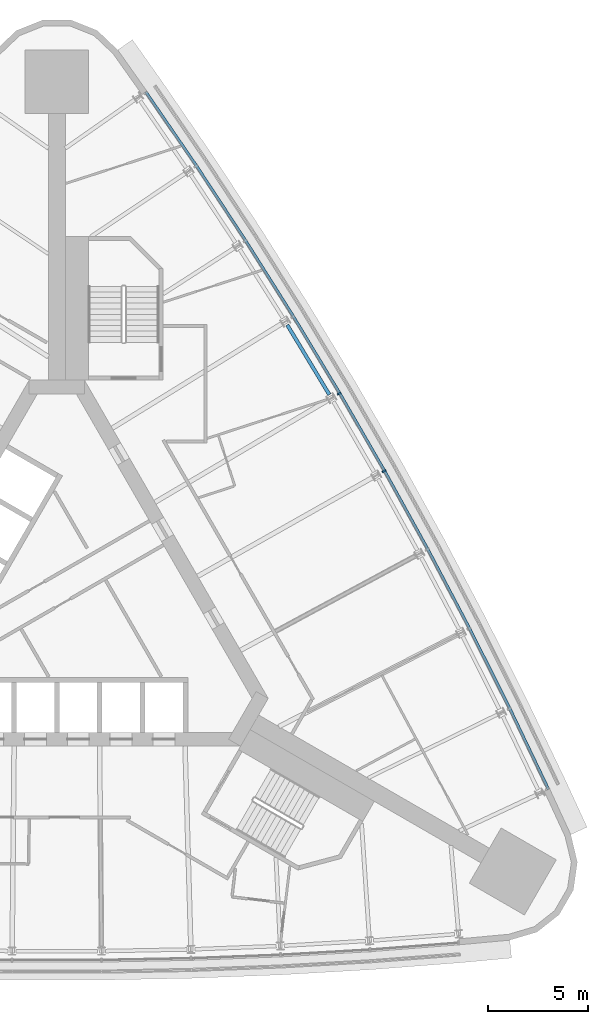
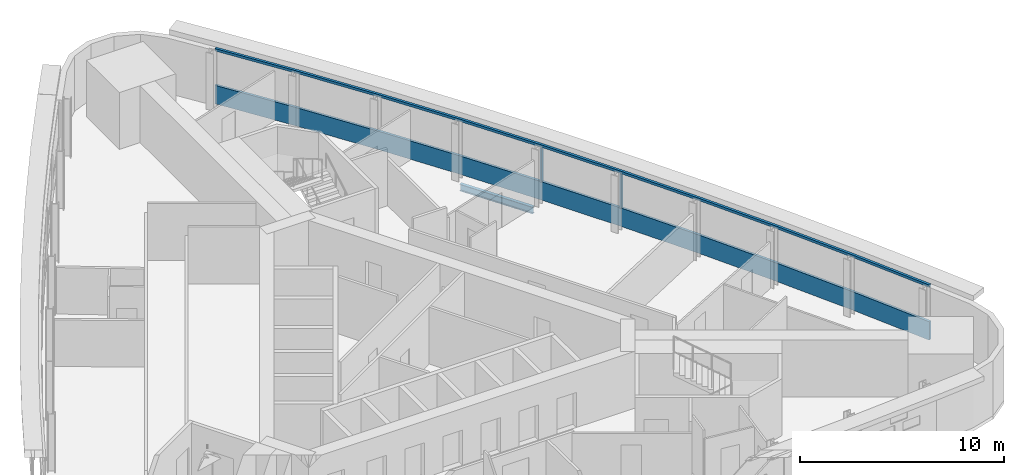
# One storey, part 6 of 14: 4 members, 1 beam, 1 element without a shape of its own.
"""IFC4 building model written with IfcOpenShell, lengths in metres."""

from ifc_helpers import new_model, si_unit, direction, frame, origin, origin_2d, place, context, subcontext, project, spatial, polyline, rectangle, i_section, outline, extrude, material, material_profile, profile_set, type_object, element, aggregate, save


model = new_model("IFC4")

# Units and contexts
model_context = context("Model", 3, precision=1e-05, world=origin(), true_north=direction((0.0, 1.0)))
body_context = subcontext(model_context, "Body", "Model", "MODEL_VIEW")
ifc_project = project(units=[si_unit("LENGTHUNIT", "METRE"), si_unit("AREAUNIT", "SQUARE_METRE"), si_unit("VOLUMEUNIT", "CUBIC_METRE"), si_unit("PLANEANGLEUNIT", "RADIAN"), si_unit("MASSUNIT", "GRAM", prefix="KILO")], contexts=[model_context])

# Site, building, storey
site_placement = place(None, origin())
site = spatial("IfcSite", under=ifc_project, at=site_placement, CompositionType="ELEMENT")
building_placement = place(site_placement, origin())
building = spatial("IfcBuilding", under=site, at=building_placement, Name="Noor Cloister Tower", CompositionType="ELEMENT")
storey_placement = place(building_placement, frame((0.0, 0.0, 76.199951171875)))
storey = spatial("IfcBuildingStorey", under=building, at=storey_placement, Name="L19", CompositionType="ELEMENT", Elevation=76.199951171875)

# Curtain wall, members
ifc_material_1 = material(Name="Aluminium 6063-T6 anodised", Category="aluminium")
curtain_wall_type = type_object("IfcCurtainWallType", Name="Ribbon curtain wall, lower tower CW1", PredefinedType="NOTDEFINED", material=ifc_material_1)
curtain_wall_placement = place(storey_placement, origin())
curtain_wall = element("IfcCurtainWall", 1, at=curtain_wall_placement, inside=storey, type_object=curtain_wall_type, Name="CW1 L19 NE run 3", PredefinedType="NOTDEFINED")
ifc_material_2 = material(Name="Aluminium 6063-T6 anodised", Category="aluminium")
member_type_1 = type_object("IfcMemberType", Name="Head transom CW1 150", PredefinedType="USERDEFINED", material=ifc_material_2)
member_1_placement = place(storey_placement, frame((0.0, 0.0, 3.150146484375)))
member_1 = element("IfcMember", 2, at=member_1_placement, type_object=member_type_1, Name="CW1 head transom", ObjectType="TRANSOM", PredefinedType="USERDEFINED", context=body_context, shape_type="SweptSolid", body=[
    extrude(outline(polyline([(24.748779296875, -9.064697265625), (22.805908203125, -5.005615234375), (20.78515625, -0.985107421875), (18.687255859375, 2.995849609375), (16.5126953125, 6.935546875), (14.262939453125, 10.832763671875), (11.938232421875, 14.685546875), (9.53955078125, 18.492919921875), (7.06787109375, 22.25341796875), (4.524169921875, 25.96533203125), (4.40869140625, 25.88623046875), (6.95166015625, 22.17529296875), (9.421875, 18.417236328125), (11.81884765625, 14.612060546875), (14.142333984375, 10.761474609375), (16.390869140625, 6.86669921875), (18.56396484375, 2.929443359375), (20.66064453125, -1.049072265625), (22.68017578125, -5.0673828125), (24.62255859375, -9.125), (24.748779296875, -9.064697265625)])), origin(), (0.0, 0.0, 1.0), 0.14990234375),
])
ifc_material_3 = material(Name="Aluminium 6063-T6 anodised", Category="aluminium")
ifc_material_profile_1 = material_profile(ifc_material_3, rectangle(XDim=0.199951171875, YDim=0.080078125, at=origin_2d()), Name="200 x 80 mullion")
ifc_profile_set_1 = profile_set([ifc_material_profile_1], Name="Aluminium 6063-T6 anodised")
member_type_2 = type_object("IfcMemberType", Name="Mullion CW1 80 x 200", PredefinedType="MULLION", material=ifc_profile_set_1)
member_2_placement = place(storey_placement, frame((16.42578125, 6.886474609375, 1.10009765625), z_axis=(0.0, 0.0, 1.0), x_axis=(-0.870808115959, -0.49162305192, 0.0)))
member_2 = element("IfcMember", 3, at=member_2_placement, type_object=member_type_2, Name="CW1 mullion 5", PredefinedType="MULLION", context=body_context, shape_type="SweptSolid", body=[
    extrude(rectangle(XDim=0.199951171875, YDim=0.080078125, at=origin_2d()), origin(), (0.0, 0.0, 1.0), 2.050048828125),
])
member_3_placement = place(storey_placement, frame((14.1767578125, 10.78173828125, 1.10009765625), z_axis=(0.0, 0.0, 1.0), x_axis=(-0.861162110029, -0.508330424282, 0.0)))
member_3 = element("IfcMember", 4, at=member_3_placement, type_object=member_type_2, Name="CW1 mullion 6", PredefinedType="MULLION", context=body_context, shape_type="SweptSolid", body=[
    extrude(rectangle(XDim=0.199951171875, YDim=0.080078125, at=origin_2d()), origin(), (0.0, 0.0, 1.0), 2.050048828125),
])
ifc_material_4 = material(Name="Aluminium 6063-T6 anodised", Category="aluminium")
member_type_3 = type_object("IfcMemberType", Name="Sill transom CW1 1100", PredefinedType="USERDEFINED", material=ifc_material_4)
member_4_placement = place(storey_placement, origin())
member_4 = element("IfcMember", 5, at=member_4_placement, type_object=member_type_3, Name="CW1 sill transom", ObjectType="TRANSOM", PredefinedType="USERDEFINED", context=body_context, shape_type="SweptSolid", body=[
    extrude(outline(polyline([(24.748779296875, -9.064697265625), (22.805908203125, -5.005615234375), (20.78515625, -0.985107421875), (18.687255859375, 2.995849609375), (16.5126953125, 6.935546875), (14.262939453125, 10.832763671875), (11.938232421875, 14.685546875), (9.53955078125, 18.492919921875), (7.06787109375, 22.25341796875), (4.524169921875, 25.96533203125), (4.40869140625, 25.88623046875), (6.95166015625, 22.17529296875), (9.421875, 18.417236328125), (11.81884765625, 14.612060546875), (14.142333984375, 10.761474609375), (16.390869140625, 6.86669921875), (18.56396484375, 2.929443359375), (20.66064453125, -1.049072265625), (22.68017578125, -5.0673828125), (24.62255859375, -9.125), (24.748779296875, -9.064697265625)])), origin(), (0.0, 0.0, 1.0), 1.10009765625),
])
aggregate(curtain_wall, [member_2, member_3, member_4, member_1])

# Beam
ifc_material_5 = material(Name="Steel ASTM A992 Gr 50", Category="steel")
ifc_material_profile_2 = material_profile(ifc_material_5, i_section(OverallWidth=0.177978515625, OverallDepth=0.406005859375, WebThickness=0.0078125, FlangeThickness=0.0126953125, FilletRadius=0.01025390625, at=origin_2d()), Name="W410x60")
ifc_profile_set_2 = profile_set([ifc_material_profile_2], Name="Steel ASTM A992 Gr 50")
beam_type = type_object("IfcBeamType", Name="Spandrel beam W410x60", PredefinedType="SPANDREL", material=ifc_profile_set_2)
beam_placement = place(storey_placement, frame((13.684814453125, 10.72607421875, -0.40283203125), z_axis=(-0.516638531393, 0.856203613564, 0.0), x_axis=(-0.856203613564, -0.516638531393, 0.0)))
element("IfcBeam", 6, at=beam_placement, inside=storey, type_object=beam_type, Name="Spandrel beam NE 06 L19", PredefinedType="SPANDREL", context=body_context, shape_type="SweptSolid", body=[
    extrude(i_section(OverallWidth=0.177978515625, OverallDepth=0.406005859375, WebThickness=0.0078125, FlangeThickness=0.0126953125, FilletRadius=0.01025390625, at=origin_2d()), origin(), (0.0, 0.0, 1.0), 4.085205078125),
])

save(model, "model.ifc")
